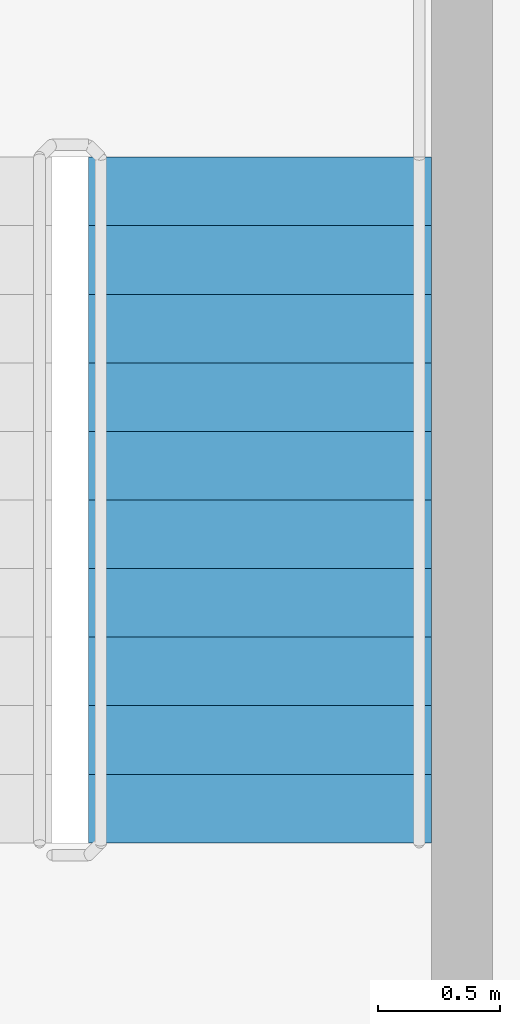
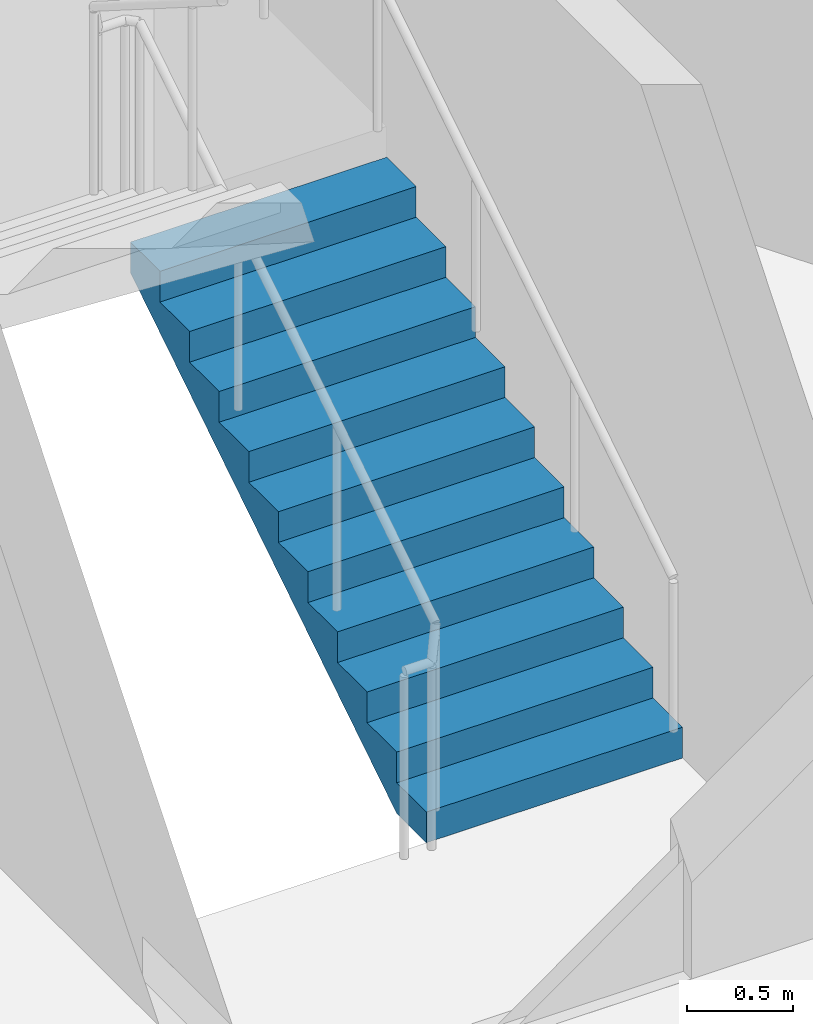
# One storey, part 11 of 12: 1 stair flight, 1 element without a shape of its own.
"""IFC4 building model written with IfcOpenShell, lengths in metres."""

import ifcopenshell
import ifcopenshell.guid

model = None  # the IFC model being written
_history = None  # IfcOwnerHistory: only IFC2X3 demands one
_inside = {}  # id of a spatial element -> (the spatial element, [elements in it])
_under = {}  # id of a project, library or spatial element -> (it, [spatial elements below it])
_declared = {}  # id of a project -> (the project, [libraries it declares])
_typed = {}  # id of a type object -> (the type object, [elements of that type])
_made_of = {}  # id of a material, layer set ... -> (it, [elements and type objects made of it])


def new_model(schema):
    """Start an empty IFC model of exactly this schema.

    Asked for "IFC4X3", IfcOpenShell would pick the latest addendum, in which some entities
    have other attributes; the version numbers below select the first issue.
    IFC2X3 requires an IfcOwnerHistory on every rooted entity: one is made here for all.
    """
    global model, _history
    if schema == "IFC4X3":
        model = ifcopenshell.file(schema_version=(4, 3, 0, 0))
    else:
        model = ifcopenshell.file(schema=schema)
    _inside.clear()
    _under.clear()
    _declared.clear()
    _typed.clear()
    _made_of.clear()
    _history = None
    if model.schema == "IFC2X3":
        org = make("IfcOrganization", Name="unknown")
        user = make(
            "IfcPersonAndOrganization",
            ThePerson=make("IfcPerson", FamilyName="unknown"),
            TheOrganization=org,
        )
        app = make(
            "IfcApplication",
            ApplicationDeveloper=org,
            Version="unknown",
            ApplicationFullName="unknown",
            ApplicationIdentifier="unknown",
        )
        _history = make(
            "IfcOwnerHistory",
            OwningUser=user,
            OwningApplication=app,
            ChangeAction="ADDED",
            CreationDate=0,
        )
    return model


def make(cls, **values):
    """One entity of the class cls with the attributes given. An attribute that is None is left unset."""
    return model.create_entity(
        cls, **{name: value for name, value in values.items() if value is not None}
    )


def rooted(cls, **values):
    """An entity with a GlobalId (a new one), such as an element, a storey or a relation."""
    return make(cls, GlobalId=ifcopenshell.guid.new(), OwnerHistory=_history, **values)


def si_unit(unit_type, name, prefix=None):
    """IfcSIUnit, for example si_unit("LENGTHUNIT", "METRE", prefix="MILLI")."""
    return make("IfcSIUnit", UnitType=unit_type, Prefix=prefix, Name=name)


def assignment(units):
    """IfcUnitAssignment: the units of a project."""
    return None if units is None else make("IfcUnitAssignment", Units=units)


def point(xyz):
    """IfcCartesianPoint."""
    return None if xyz is None else make("IfcCartesianPoint", Coordinates=xyz)


def direction(xyz):
    """IfcDirection."""
    return None if xyz is None else make("IfcDirection", DirectionRatios=xyz)


def frame(location, z_axis=None, x_axis=None):
    """IfcAxis2Placement3D, a coordinate frame: its origin and axes. An axis left out is left unset."""
    return make(
        "IfcAxis2Placement3D",
        Location=point(location),
        Axis=direction(z_axis),
        RefDirection=direction(x_axis),
    )


def origin():
    """The frame at (0, 0, 0) with its axes left unset."""
    return frame((0.0, 0.0, 0.0))


def place(relative_to, where):
    """IfcLocalPlacement: puts the frame where relative to a parent placement (None: the world)."""
    return make(
        "IfcLocalPlacement", PlacementRelTo=relative_to, RelativePlacement=where
    )


def context(
    kind, dimensions, precision=None, world=None, true_north=None, identifier=None
):
    """IfcGeometricRepresentationContext, for example the 3D "Model" context."""
    return make(
        "IfcGeometricRepresentationContext",
        ContextIdentifier=identifier,
        ContextType=kind,
        CoordinateSpaceDimension=dimensions,
        Precision=precision,
        WorldCoordinateSystem=world,
        TrueNorth=true_north,
    )


def subcontext(parent, identifier, kind, view, scale=None):
    """IfcGeometricRepresentationSubContext, for example "Body" below "Model"."""
    return make(
        "IfcGeometricRepresentationSubContext",
        ContextIdentifier=identifier,
        ContextType=kind,
        ParentContext=parent,
        TargetScale=scale,
        TargetView=view,
    )


def project(units=None, contexts=None):
    """IfcProject with its units and contexts."""
    return rooted(
        "IfcProject",
        Name="project",
        RepresentationContexts=contexts,
        UnitsInContext=assignment(units),
    )


def spatial(cls, under=None, at=None, **own):
    """A site, building, storey or space (cls), placed at a placement, below another one or the project."""
    s = rooted(cls, ObjectPlacement=at, **own)
    if under is not None:
        _under.setdefault(under.id(), (under, []))[1].append(s)
    return s


def polyline(points):
    """IfcPolyline through the points."""
    return make("IfcPolyline", Points=[point(p) for p in points])


def outline(outer, holes=None, kind="AREA"):
    """IfcArbitraryClosedProfileDef: a profile drawn as a closed curve; with holes, ...WithVoids."""
    if holes is None:
        return make("IfcArbitraryClosedProfileDef", ProfileType=kind, OuterCurve=outer)
    return make(
        "IfcArbitraryProfileDefWithVoids",
        ProfileType=kind,
        OuterCurve=outer,
        InnerCurves=holes,
    )


def extrude(swept, where, along, depth):
    """IfcExtrudedAreaSolid: the profile swept, set in the frame where, extruded along a direction by depth."""
    return make(
        "IfcExtrudedAreaSolid",
        SweptArea=swept,
        Position=where,
        ExtrudedDirection=direction(along),
        Depth=depth,
    )


def shape(context_of_items, identifier, shape_type, items):
    """IfcShapeRepresentation: the items that make up one representation, for example the "Body"."""
    return make(
        "IfcShapeRepresentation",
        ContextOfItems=context_of_items,
        RepresentationIdentifier=identifier,
        RepresentationType=shape_type,
        Items=items,
    )


def material(Name=None, Category=None):
    """IfcMaterial."""
    return make("IfcMaterial", Name=Name, Category=Category)


def made_of(thing, what):
    """Note that an element or type object is made of a material, layer set ...; save() writes the relation."""
    if what is not None:
        _made_of.setdefault(what.id(), (what, []))[1].append(thing)
    return thing


def type_object(cls, material=None, **own):
    """A type object (cls), such as IfcWallType, which elements share."""
    return made_of(rooted(cls, **own), material)


def element(
    cls,
    number,
    at=None,
    inside=None,
    cuts=None,
    type_object=None,
    material=None,
    context=None,
    identifier="Body",
    shape_type=None,
    held_by="IfcProductDefinitionShape",
    body=None,
    shapes=None,
    **own,
):
    """One element of the class cls, such as IfcWall. Its Tag is "e" and its number.

    at: its placement. inside: the storey or other place that contains it. cuts: it is an
    opening in that element (IfcRelVoidsElement). A single representation is given by context,
    identifier, shape_type and body (its items); several are given by shapes. held_by: the class
    of the entity that holds the representations. save() writes the other relations.
    """
    e = rooted(cls, Tag="e%d" % number, ObjectPlacement=at, **own)
    if body is not None:
        shapes = [shape(context, identifier, shape_type, body)]
    if shapes is not None:
        e.Representation = make(held_by, Representations=shapes)
    if inside is not None:
        _inside.setdefault(inside.id(), (inside, []))[1].append(e)
    if cuts is not None:
        rooted(
            "IfcRelVoidsElement", RelatingBuildingElement=cuts, RelatedOpeningElement=e
        )
    if type_object is not None:
        _typed.setdefault(type_object.id(), (type_object, []))[1].append(e)
    return made_of(e, material)


def aggregate(whole, parts):
    """IfcRelAggregates: a whole, such as a stair, and the parts it consists of."""
    return rooted("IfcRelAggregates", RelatingObject=whole, RelatedObjects=parts)


def save(model, path):
    """Write the relations noted so far, then the file.

    IfcRelAggregates (storeys below a building ...), IfcRelContainedInSpatialStructure (elements
    in a storey), IfcRelDefinesByType, IfcRelAssociatesMaterial and IfcRelDeclares: one each for
    every whole, place, type object, material and project.
    """
    for whole, parts in _under.values():
        aggregate(whole, parts)
    for where, things in _inside.values():
        rooted(
            "IfcRelContainedInSpatialStructure",
            RelatedElements=things,
            RelatingStructure=where,
        )
    for kind, things in _typed.values():
        rooted("IfcRelDefinesByType", RelatedObjects=things, RelatingType=kind)
    for what, things in _made_of.values():
        rooted("IfcRelAssociatesMaterial", RelatedObjects=things, RelatingMaterial=what)
    for by, libraries in _declared.values():
        rooted("IfcRelDeclares", RelatingContext=by, RelatedDefinitions=libraries)
    model.write(path)


model = new_model("IFC4")

# Units and contexts
model_context = context("Model", 3, precision=1e-05, world=origin(), true_north=direction((0.0, 1.0)))
body_context = subcontext(model_context, "Body", "Model", "MODEL_VIEW")
ifc_project = project(units=[si_unit("LENGTHUNIT", "METRE"), si_unit("AREAUNIT", "SQUARE_METRE"), si_unit("VOLUMEUNIT", "CUBIC_METRE"), si_unit("PLANEANGLEUNIT", "RADIAN"), si_unit("MASSUNIT", "GRAM", prefix="KILO")], contexts=[model_context])

# Site, building, storey
site_placement = place(None, origin())
site = spatial("IfcSite", under=ifc_project, at=site_placement, CompositionType="ELEMENT")
building_placement = place(site_placement, origin())
building = spatial("IfcBuilding", under=site, at=building_placement, Name="Tarnside Tower", CompositionType="ELEMENT")
storey_placement = place(building_placement, frame((0.0, 0.0, 306.89990234375)))
storey = spatial("IfcBuildingStorey", under=building, at=storey_placement, Name="L74", CompositionType="ELEMENT", Elevation=306.89990234375)

# Stair, stair flight
ifc_material = material(Name="Concrete C40/50", Category="concrete")
stair_type = type_object("IfcStairType", Name="Exit stair 1400 clear", PredefinedType="HALF_TURN_STAIR", material=ifc_material)
stair_placement = place(storey_placement, origin())
stair = element("IfcStair", 1, at=stair_placement, inside=storey, type_object=stair_type, Name="L74 Exit stair 1", PredefinedType="HALF_TURN_STAIR")
stair_flight_type = type_object("IfcStairFlightType", Name="Exit stair flight 1400", PredefinedType="STRAIGHT", material=ifc_material)
stair_flight_placement = place(storey_placement, frame((8.14990234375, -1.800048828125, 0.0), z_axis=(0.0, 0.0, 1.0), x_axis=(0.0, 1.0, 0.0)))
stair_flight = element("IfcStairFlight", 2, at=stair_flight_placement, type_object=stair_flight_type, Name="ST1 flight 1", NumberOfRisers=11, NumberOfTreads=10, PredefinedType="STRAIGHT", RiserHeight=0.177272727, TreadLength=0.28, context=body_context, shape_type="SweptSolid", body=[
    extrude(outline(polyline([(0.0, 0.0), (0.0, 0.17724609375), (0.280029296875, 0.17724609375), (0.280029296875, 0.3544921875), (0.56005859375, 0.3544921875), (0.56005859375, 0.53173828125), (0.840087890625, 0.53173828125), (0.840087890625, 0.708984375), (1.1201171875, 0.708984375), (1.1201171875, 0.886474609375), (1.39990234375, 0.886474609375), (1.39990234375, 1.063720703125), (1.679931640625, 1.063720703125), (1.679931640625, 1.240966796875), (1.9599609375, 1.240966796875), (1.9599609375, 1.418212890625), (2.239990234375, 1.418212890625), (2.239990234375, 1.595458984375), (2.52001953125, 1.595458984375), (2.52001953125, 1.772705078125), (2.800048828125, 1.772705078125), (2.800048828125, 1.949951171875), (2.800048828125, 1.59521484375), (0.2802734375, 0.0), (0.0, 0.0)])), frame((0.0, 0.699951171875, 0.0), z_axis=(0.0, -1.0, 0.0), x_axis=(1.0, 0.0, 0.0)), (0.0, 0.0, 1.0), 1.39990234375),
])
aggregate(stair, [stair_flight])

save(model, "model.ifc")
